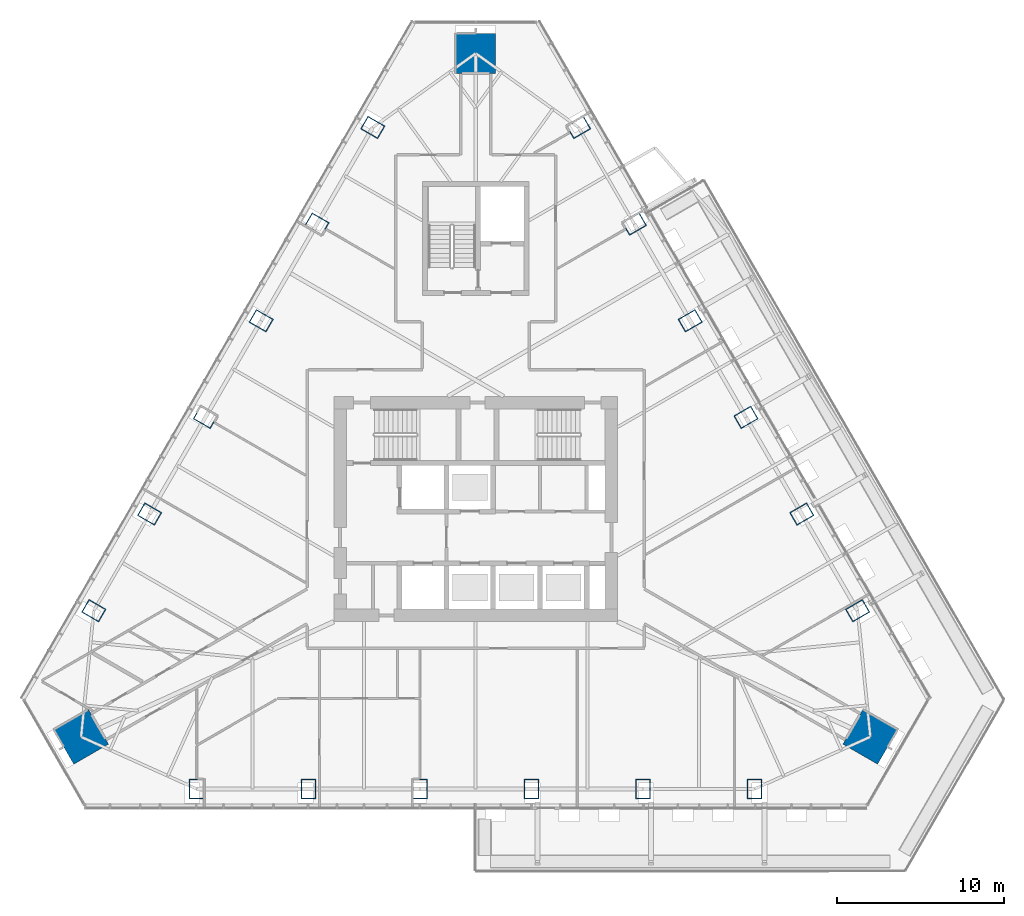
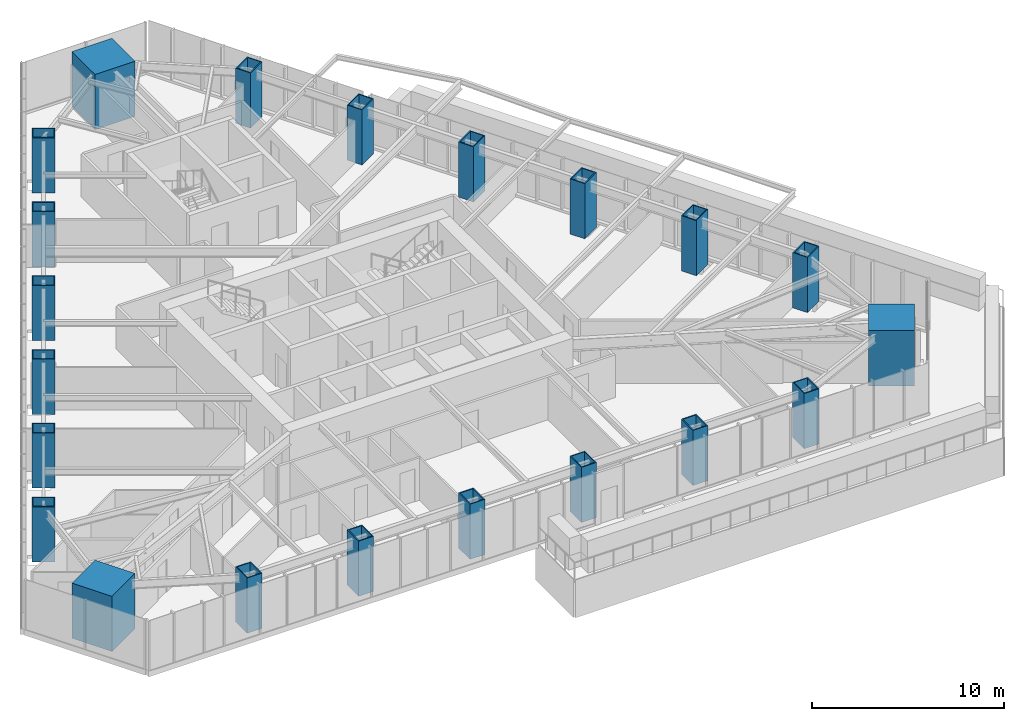
# One storey, part 1 of 17: 21 columns.
"""IFC4 building model written with IfcOpenShell, lengths in metres."""

from ifc_helpers import new_model, si_unit, direction, frame, origin, origin_2d, place, context, subcontext, project, spatial, rectangle, hollow_rectangle, extrude, material, material_profile, profile_set, type_object, element, save


model = new_model("IFC4")

# Units and contexts
model_context = context("Model", 3, precision=1e-05, world=origin(), true_north=direction((0.0, 1.0)))
body_context = subcontext(model_context, "Body", "Model", "MODEL_VIEW")
ifc_project = project(units=[si_unit("LENGTHUNIT", "METRE"), si_unit("AREAUNIT", "SQUARE_METRE"), si_unit("VOLUMEUNIT", "CUBIC_METRE"), si_unit("PLANEANGLEUNIT", "RADIAN"), si_unit("MASSUNIT", "GRAM", prefix="KILO")], contexts=[model_context])

# Site, building, storey
site_placement = place(None, origin())
site = spatial("IfcSite", under=ifc_project, at=site_placement, CompositionType="ELEMENT")
building_placement = place(site_placement, origin())
building = spatial("IfcBuilding", under=site, at=building_placement, Name="Firuza Gate Tower and Library", CompositionType="ELEMENT")
storey_placement = place(building_placement, frame((0.0, 0.0, 263.60009765625)))
storey = spatial("IfcBuildingStorey", under=building, at=storey_placement, Name="L62", CompositionType="ELEMENT", Elevation=263.60009765625)

# Columns
ifc_material_1 = material(Name="Steel S355", Category="steel")
ifc_material_profile_1 = material_profile(ifc_material_1, hollow_rectangle(XDim=0.89990234375, YDim=1.199951171875, WallThickness=0.06005859375, at=origin_2d()))
ifc_profile_set_1 = profile_set([ifc_material_profile_1], Name="Steel S355")
column_type_1 = type_object("IfcColumnType", Name="BU1200x900x60 Composite box column", PredefinedType="COLUMN", material=ifc_profile_set_1)
for number, where, z_axis, x_axis, name in (
    (1, (58.293212890625, 58.2392578125, -0.00048828125), (0.0, 0.0, 1.0), (1.0, 0.0, 0.0), "Column S1 L62"),
    (2, (64.97607421875, 58.2392578125, -0.00048828125), (0.0, 0.0, 1.0), (1.0, 0.0, 0.0), "Column S2 L62"),
    (3, (71.65869140625, 58.2392578125, -0.00048828125), (0.0, 0.0, 1.0), (1.0, 0.0, 0.0), "Column S3 L62"),
    (4, (78.34130859375, 58.2392578125, -0.00048828125), (0.0, 0.0, 1.0), (1.0, 0.0, 0.0), "Column S4 L62"),
    (5, (85.02392578125, 58.2392578125, -0.00048828125), (0.0, 0.0, 1.0), (1.0, 0.0, 0.0), "Column S5 L62"),
    (6, (91.706787109375, 58.2392578125, -0.00048828125), (0.0, 0.0, 1.0), (1.0, 0.0, 0.0), "Column S6 L62"),
    (7, (97.86865234375, 68.911865234375, -0.00048828125), (0.0, 0.0, 1.0), (-0.5, 0.866025403784, 0.0), "Column E1 L62"),
    (8, (94.52734375, 74.699462890625, -0.00048828125), (0.0, 0.0, 1.0), (-0.5, 0.866025403784, 0.0), "Column E2 L62"),
    (9, (91.185791015625, 80.48681640625, -0.00048828125), (0.0, 0.0, 1.0), (-0.5, 0.866025403784, 0.0), "Column E3 L62"),
    (10, (87.844482421875, 86.274169921875, -0.00048828125), (0.0, 0.0, 1.0), (-0.5, 0.866025403784, 0.0), "Column E4 L62"),
    (11, (84.503173828125, 92.0615234375, -0.00048828125), (0.0, 0.0, 1.0), (-0.5, 0.866025403784, 0.0), "Column E5 L62"),
    (12, (81.161865234375, 97.848876953125, -0.00048828125), (0.0, 0.0, 1.0), (-0.5, 0.866025403784, 0.0), "Column E6 L62"),
    (13, (68.838134765625, 97.848876953125, -0.00048828125), (0.0, 0.0, 1.0), (-0.5, -0.866025403784, 0.0), "Column W1 L62"),
    (14, (65.496826171875, 92.0615234375, -0.00048828125), (0.0, 0.0, 1.0), (-0.5, -0.866025403784, 0.0), "Column W2 L62"),
    (15, (62.155517578125, 86.274169921875, -0.00048828125), (0.0, 0.0, 1.0), (-0.5, -0.866025403784, 0.0), "Column W3 L62"),
    (16, (58.814208984375, 80.48681640625, -0.00048828125), (0.0, 0.0, 1.0), (-0.5, -0.866025403784, 0.0), "Column W4 L62"),
    (17, (55.47265625, 74.699462890625, -0.00048828125), (0.0, 0.0, 1.0), (-0.5, -0.866025403784, 0.0), "Column W5 L62"),
    (18, (52.13134765625, 68.911865234375, -0.00048828125), (0.0, 0.0, 1.0), (-0.5, -0.866025403784, 0.0), "Column W6 L62"),
):
    element("IfcColumn", number, at=place(storey_placement, frame(where, z_axis=z_axis, x_axis=x_axis)), inside=storey, type_object=column_type_1, Name=name, PredefinedType="COLUMN", context=body_context, shape_type="SweptSolid", body=[
        extrude(hollow_rectangle(XDim=0.89990234375, YDim=1.199951171875, WallThickness=0.06005859375, at=origin_2d()), origin(), (0.0, 0.0, 1.0), 3.50048828125),
    ])
ifc_material_2 = material(Name="Concrete C80/95", Category="concrete")
ifc_material_profile_2 = material_profile(ifc_material_2, rectangle(XDim=2.39990234375, YDim=2.39990234375, at=origin_2d()))
ifc_profile_set_2 = profile_set([ifc_material_profile_2], Name="Concrete C80/95")
column_type_2 = type_object("IfcColumnType", Name="Mega column 2400x2400 C80/95", PredefinedType="COLUMN", material=ifc_profile_set_2)
for number, where, z_axis, x_axis, name in (
    (19, (98.63037109375, 61.35693359375, 0.0), (0.0, 0.0, 1.0), (0.5, 0.866025403784, 0.0), "Mega column SE L62"),
    (20, (75.0, 102.2861328125, 0.0), (0.0, 0.0, 1.0), (-1.0, 0.0, 0.0), "Mega column N L62"),
    (21, (51.36962890625, 61.35693359375, 0.0), (0.0, 0.0, 1.0), (0.5, -0.866025403784, 0.0), "Mega column SW L62"),
):
    element("IfcColumn", number, at=place(storey_placement, frame(where, z_axis=z_axis, x_axis=x_axis)), inside=storey, type_object=column_type_2, Name=name, PredefinedType="COLUMN", context=body_context, shape_type="SweptSolid", body=[
        extrude(rectangle(XDim=2.39990234375, YDim=2.39990234375, at=origin_2d()), origin(), (0.0, 0.0, 1.0), 3.5),
    ])

save(model, "model.ifc")
